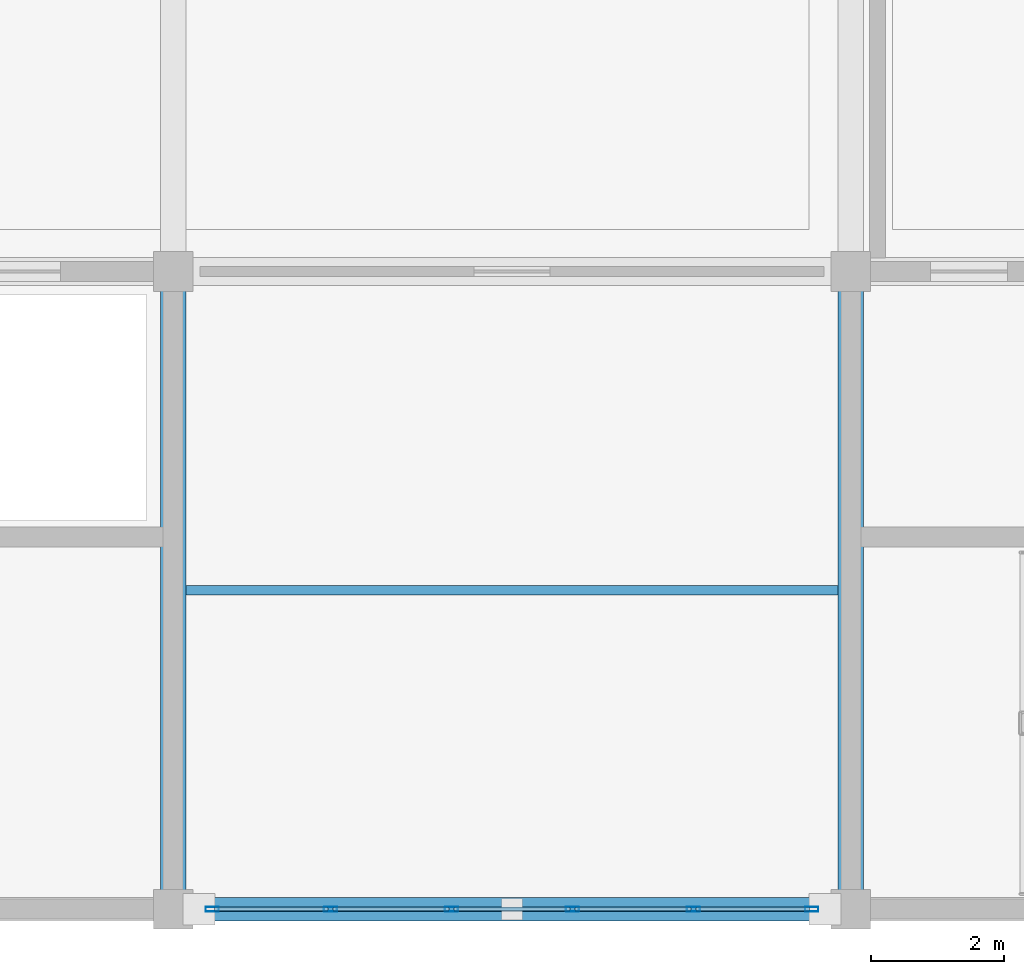
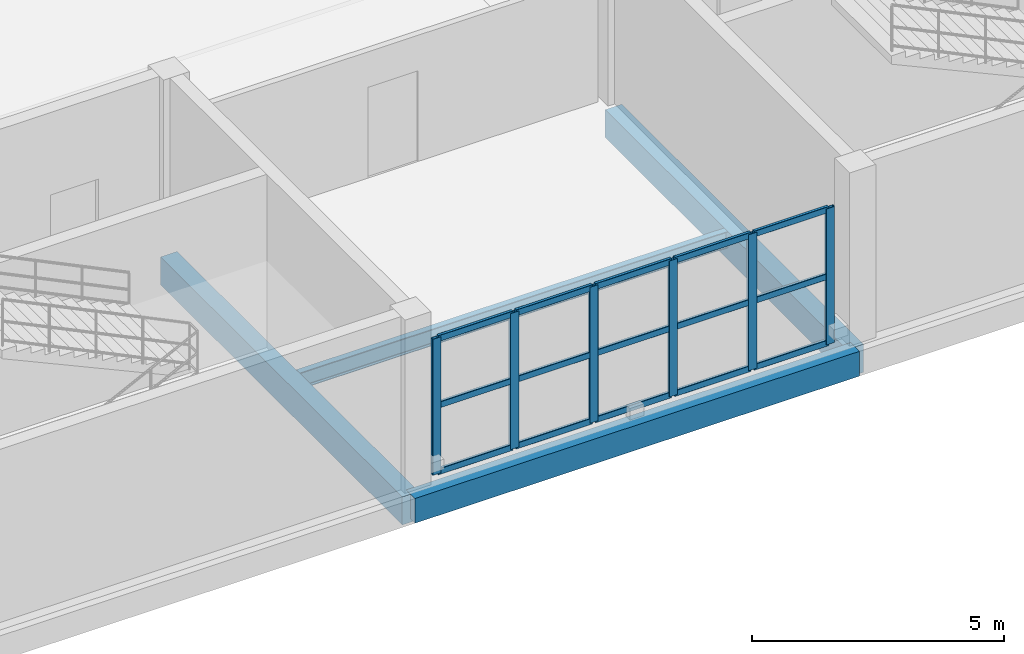
# One storey, part 4 of 24: 21 members, 4 beams, 1 element without a shape of its own.
"""IFC4 building model written with IfcOpenShell, lengths in metres."""

from ifc_helpers import new_model, si_unit, direction, frame, origin, origin_2d, place, context, subcontext, project, spatial, rectangle, hollow_rectangle, i_section, extrude, material, material_profile, profile_set, type_object, element, aggregate, save


model = new_model("IFC4")

# Units and contexts
model_context = context("Model", 3, precision=1e-05, world=origin(), true_north=direction((0.0, 1.0)))
body_context = subcontext(model_context, "Body", "Model", "MODEL_VIEW")
ifc_project = project(units=[si_unit("LENGTHUNIT", "METRE"), si_unit("AREAUNIT", "SQUARE_METRE"), si_unit("VOLUMEUNIT", "CUBIC_METRE"), si_unit("PLANEANGLEUNIT", "RADIAN"), si_unit("MASSUNIT", "GRAM", prefix="KILO")], contexts=[model_context])

# Site, building, storey
site_placement = place(None, origin())
site = spatial("IfcSite", under=ifc_project, at=site_placement, CompositionType="ELEMENT")
building_placement = place(site_placement, origin())
building = spatial("IfcBuilding", under=site, at=building_placement, Name="Brelvane Convention Centre", CompositionType="ELEMENT")
storey_placement = place(building_placement, frame((0.0, 0.0, 19.199951171875)))
storey = spatial("IfcBuildingStorey", under=building, at=storey_placement, Name="L04", CompositionType="ELEMENT", Elevation=19.199951171875)

# Curtain wall, members
ifc_material_1 = material(Name="Anodised Aluminium Alloy 6063-T6", Category="aluminium")
curtain_wall_type = type_object("IfcCurtainWallType", Name="Curtain Wall CW-COURT", PredefinedType="USERDEFINED", material=ifc_material_1)
curtain_wall_placement = place(storey_placement, origin())
curtain_wall = element("IfcCurtainWall", 1, at=curtain_wall_placement, inside=storey, type_object=curtain_wall_type, Name="Curtain Wall CW-COURT L04-V4S-03", ObjectType="UNITISED", PredefinedType="USERDEFINED")
ifc_material_2 = material(Name="Anodised Aluminium Alloy 6063-T6", Category="aluminium")
ifc_material_profile_1 = material_profile(ifc_material_2, hollow_rectangle(XDim=0.074951171875, YDim=0.199951171875, WallThickness=0.0048828125, InnerFilletRadius=0.0048828125, OuterFilletRadius=0.010009765625, at=origin_2d()), Name="ALU-M 200x75x5.0")
ifc_profile_set_1 = profile_set([ifc_material_profile_1], Name="Anodised Aluminium Alloy 6063-T6")
member_type_1 = type_object("IfcMemberType", Name="Curtain Mullion CW-M2", PredefinedType="MULLION", material=ifc_profile_set_1)
member_1_placement = place(storey_placement, frame((20.987548828125, 109.199951171875, 0.0), z_axis=(0.0, 0.0, 1.0), x_axis=(0.0, 1.0, 0.0)))
member_1 = element("IfcMember", 2, at=member_1_placement, type_object=member_type_1, Name="CW-COURT mullion 1", PredefinedType="MULLION", context=body_context, shape_type="SweptSolid", body=[
    extrude(hollow_rectangle(XDim=0.074951171875, YDim=0.199951171875, WallThickness=0.0048828125, InnerFilletRadius=0.0048828125, OuterFilletRadius=0.010009765625, at=origin_2d()), origin(), (0.0, 0.0, 1.0), 3.300048828125),
])
member_2_placement = place(storey_placement, frame((22.77001953125, 109.199951171875, 0.0), z_axis=(0.0, 0.0, 1.0), x_axis=(0.0, 1.0, 0.0)))
member_2 = element("IfcMember", 3, at=member_2_placement, type_object=member_type_1, Name="CW-COURT mullion 2", PredefinedType="MULLION", context=body_context, shape_type="SweptSolid", body=[
    extrude(hollow_rectangle(XDim=0.074951171875, YDim=0.199951171875, WallThickness=0.0048828125, InnerFilletRadius=0.0048828125, OuterFilletRadius=0.010009765625, at=origin_2d()), origin(), (0.0, 0.0, 1.0), 3.300048828125),
])
member_3_placement = place(storey_placement, frame((24.590087890625, 109.199951171875, 0.0), z_axis=(0.0, 0.0, 1.0), x_axis=(0.0, 1.0, 0.0)))
member_3 = element("IfcMember", 4, at=member_3_placement, type_object=member_type_1, Name="CW-COURT mullion 3", PredefinedType="MULLION", context=body_context, shape_type="SweptSolid", body=[
    extrude(hollow_rectangle(XDim=0.074951171875, YDim=0.199951171875, WallThickness=0.0048828125, InnerFilletRadius=0.0048828125, OuterFilletRadius=0.010009765625, at=origin_2d()), origin(), (0.0, 0.0, 1.0), 3.300048828125),
])
member_4_placement = place(storey_placement, frame((26.409912109375, 109.199951171875, 0.0), z_axis=(0.0, 0.0, 1.0), x_axis=(0.0, 1.0, 0.0)))
member_4 = element("IfcMember", 5, at=member_4_placement, type_object=member_type_1, Name="CW-COURT mullion 4", PredefinedType="MULLION", context=body_context, shape_type="SweptSolid", body=[
    extrude(hollow_rectangle(XDim=0.074951171875, YDim=0.199951171875, WallThickness=0.0048828125, InnerFilletRadius=0.0048828125, OuterFilletRadius=0.010009765625, at=origin_2d()), origin(), (0.0, 0.0, 1.0), 3.300048828125),
])
member_5_placement = place(storey_placement, frame((28.22998046875, 109.199951171875, 0.0), z_axis=(0.0, 0.0, 1.0), x_axis=(0.0, 1.0, 0.0)))
member_5 = element("IfcMember", 6, at=member_5_placement, type_object=member_type_1, Name="CW-COURT mullion 5", PredefinedType="MULLION", context=body_context, shape_type="SweptSolid", body=[
    extrude(hollow_rectangle(XDim=0.074951171875, YDim=0.199951171875, WallThickness=0.0048828125, InnerFilletRadius=0.0048828125, OuterFilletRadius=0.010009765625, at=origin_2d()), origin(), (0.0, 0.0, 1.0), 3.300048828125),
])
member_6_placement = place(storey_placement, frame((30.012451171875, 109.199951171875, 0.0), z_axis=(0.0, 0.0, 1.0), x_axis=(0.0, 1.0, 0.0)))
member_6 = element("IfcMember", 7, at=member_6_placement, type_object=member_type_1, Name="CW-COURT mullion 6", PredefinedType="MULLION", context=body_context, shape_type="SweptSolid", body=[
    extrude(hollow_rectangle(XDim=0.074951171875, YDim=0.199951171875, WallThickness=0.0048828125, InnerFilletRadius=0.0048828125, OuterFilletRadius=0.010009765625, at=origin_2d()), origin(), (0.0, 0.0, 1.0), 3.300048828125),
])
ifc_material_3 = material(Name="Anodised Aluminium Alloy 6063-T6", Category="aluminium")
ifc_material_profile_2 = material_profile(ifc_material_3, hollow_rectangle(XDim=0.070068359375, YDim=0.14990234375, WallThickness=0.00439453125, InnerFilletRadius=0.00439453125, OuterFilletRadius=0.009033203125, at=origin_2d()), Name="ALU-T 150x70x4.5")
ifc_profile_set_2 = profile_set([ifc_material_profile_2], Name="Anodised Aluminium Alloy 6063-T6")
member_type_2 = type_object("IfcMemberType", Name="Curtain Transom CW-T2", PredefinedType="USERDEFINED", material=ifc_profile_set_2)
member_7_placement = place(storey_placement, frame((21.02490234375, 109.199951171875, 0.03515625), z_axis=(1.0, 0.0, 0.0), x_axis=(0.0, 1.0, 0.0)))
member_7 = element("IfcMember", 8, at=member_7_placement, type_object=member_type_2, Name="CW-COURT transom 1.1", ObjectType="TRANSOM", PredefinedType="USERDEFINED", context=body_context, shape_type="SweptSolid", body=[
    extrude(hollow_rectangle(XDim=0.070068359375, YDim=0.14990234375, WallThickness=0.00439453125, InnerFilletRadius=0.00439453125, OuterFilletRadius=0.009033203125, at=origin_2d()), origin(), (0.0, 0.0, 1.0), 1.70751953125),
])
member_8_placement = place(storey_placement, frame((21.02490234375, 109.199951171875, 1.650146484375), z_axis=(1.0, 0.0, 0.0), x_axis=(0.0, 1.0, 0.0)))
member_8 = element("IfcMember", 9, at=member_8_placement, type_object=member_type_2, Name="CW-COURT transom 1.2", ObjectType="TRANSOM", PredefinedType="USERDEFINED", context=body_context, shape_type="SweptSolid", body=[
    extrude(hollow_rectangle(XDim=0.070068359375, YDim=0.14990234375, WallThickness=0.00439453125, InnerFilletRadius=0.00439453125, OuterFilletRadius=0.009033203125, at=origin_2d()), origin(), (0.0, 0.0, 1.0), 1.70751953125),
])
member_9_placement = place(storey_placement, frame((21.02490234375, 109.199951171875, 3.26513671875), z_axis=(1.0, 0.0, 0.0), x_axis=(0.0, 1.0, 0.0)))
member_9 = element("IfcMember", 10, at=member_9_placement, type_object=member_type_2, Name="CW-COURT transom 1.3", ObjectType="TRANSOM", PredefinedType="USERDEFINED", context=body_context, shape_type="SweptSolid", body=[
    extrude(hollow_rectangle(XDim=0.070068359375, YDim=0.14990234375, WallThickness=0.00439453125, InnerFilletRadius=0.00439453125, OuterFilletRadius=0.009033203125, at=origin_2d()), origin(), (0.0, 0.0, 1.0), 1.70751953125),
])
member_10_placement = place(storey_placement, frame((22.8076171875, 109.199951171875, 0.03515625), z_axis=(1.0, 0.0, 0.0), x_axis=(0.0, 1.0, 0.0)))
member_10 = element("IfcMember", 11, at=member_10_placement, type_object=member_type_2, Name="CW-COURT transom 2.1", ObjectType="TRANSOM", PredefinedType="USERDEFINED", context=body_context, shape_type="SweptSolid", body=[
    extrude(hollow_rectangle(XDim=0.070068359375, YDim=0.14990234375, WallThickness=0.00439453125, InnerFilletRadius=0.00439453125, OuterFilletRadius=0.009033203125, at=origin_2d()), origin(), (0.0, 0.0, 1.0), 1.744873046875),
])
member_11_placement = place(storey_placement, frame((22.8076171875, 109.199951171875, 1.650146484375), z_axis=(1.0, 0.0, 0.0), x_axis=(0.0, 1.0, 0.0)))
member_11 = element("IfcMember", 12, at=member_11_placement, type_object=member_type_2, Name="CW-COURT transom 2.2", ObjectType="TRANSOM", PredefinedType="USERDEFINED", context=body_context, shape_type="SweptSolid", body=[
    extrude(hollow_rectangle(XDim=0.070068359375, YDim=0.14990234375, WallThickness=0.00439453125, InnerFilletRadius=0.00439453125, OuterFilletRadius=0.009033203125, at=origin_2d()), origin(), (0.0, 0.0, 1.0), 1.744873046875),
])
member_12_placement = place(storey_placement, frame((22.8076171875, 109.199951171875, 3.26513671875), z_axis=(1.0, 0.0, 0.0), x_axis=(0.0, 1.0, 0.0)))
member_12 = element("IfcMember", 13, at=member_12_placement, type_object=member_type_2, Name="CW-COURT transom 2.3", ObjectType="TRANSOM", PredefinedType="USERDEFINED", context=body_context, shape_type="SweptSolid", body=[
    extrude(hollow_rectangle(XDim=0.070068359375, YDim=0.14990234375, WallThickness=0.00439453125, InnerFilletRadius=0.00439453125, OuterFilletRadius=0.009033203125, at=origin_2d()), origin(), (0.0, 0.0, 1.0), 1.744873046875),
])
member_13_placement = place(storey_placement, frame((24.62744140625, 109.199951171875, 0.03515625), z_axis=(1.0, 0.0, 0.0), x_axis=(0.0, 1.0, 0.0)))
member_13 = element("IfcMember", 14, at=member_13_placement, type_object=member_type_2, Name="CW-COURT transom 3.1", ObjectType="TRANSOM", PredefinedType="USERDEFINED", context=body_context, shape_type="SweptSolid", body=[
    extrude(hollow_rectangle(XDim=0.070068359375, YDim=0.14990234375, WallThickness=0.00439453125, InnerFilletRadius=0.00439453125, OuterFilletRadius=0.009033203125, at=origin_2d()), origin(), (0.0, 0.0, 1.0), 1.7451171875),
])
member_14_placement = place(storey_placement, frame((24.62744140625, 109.199951171875, 1.650146484375), z_axis=(1.0, 0.0, 0.0), x_axis=(0.0, 1.0, 0.0)))
member_14 = element("IfcMember", 15, at=member_14_placement, type_object=member_type_2, Name="CW-COURT transom 3.2", ObjectType="TRANSOM", PredefinedType="USERDEFINED", context=body_context, shape_type="SweptSolid", body=[
    extrude(hollow_rectangle(XDim=0.070068359375, YDim=0.14990234375, WallThickness=0.00439453125, InnerFilletRadius=0.00439453125, OuterFilletRadius=0.009033203125, at=origin_2d()), origin(), (0.0, 0.0, 1.0), 1.7451171875),
])
member_15_placement = place(storey_placement, frame((24.62744140625, 109.199951171875, 3.26513671875), z_axis=(1.0, 0.0, 0.0), x_axis=(0.0, 1.0, 0.0)))
member_15 = element("IfcMember", 16, at=member_15_placement, type_object=member_type_2, Name="CW-COURT transom 3.3", ObjectType="TRANSOM", PredefinedType="USERDEFINED", context=body_context, shape_type="SweptSolid", body=[
    extrude(hollow_rectangle(XDim=0.070068359375, YDim=0.14990234375, WallThickness=0.00439453125, InnerFilletRadius=0.00439453125, OuterFilletRadius=0.009033203125, at=origin_2d()), origin(), (0.0, 0.0, 1.0), 1.7451171875),
])
member_16_placement = place(storey_placement, frame((26.447509765625, 109.199951171875, 0.03515625), z_axis=(1.0, 0.0, 0.0), x_axis=(0.0, 1.0, 0.0)))
member_16 = element("IfcMember", 17, at=member_16_placement, type_object=member_type_2, Name="CW-COURT transom 4.1", ObjectType="TRANSOM", PredefinedType="USERDEFINED", context=body_context, shape_type="SweptSolid", body=[
    extrude(hollow_rectangle(XDim=0.070068359375, YDim=0.14990234375, WallThickness=0.00439453125, InnerFilletRadius=0.00439453125, OuterFilletRadius=0.009033203125, at=origin_2d()), origin(), (0.0, 0.0, 1.0), 1.744873046875),
])
member_17_placement = place(storey_placement, frame((26.447509765625, 109.199951171875, 1.650146484375), z_axis=(1.0, 0.0, 0.0), x_axis=(0.0, 1.0, 0.0)))
member_17 = element("IfcMember", 18, at=member_17_placement, type_object=member_type_2, Name="CW-COURT transom 4.2", ObjectType="TRANSOM", PredefinedType="USERDEFINED", context=body_context, shape_type="SweptSolid", body=[
    extrude(hollow_rectangle(XDim=0.070068359375, YDim=0.14990234375, WallThickness=0.00439453125, InnerFilletRadius=0.00439453125, OuterFilletRadius=0.009033203125, at=origin_2d()), origin(), (0.0, 0.0, 1.0), 1.744873046875),
])
member_18_placement = place(storey_placement, frame((26.447509765625, 109.199951171875, 3.26513671875), z_axis=(1.0, 0.0, 0.0), x_axis=(0.0, 1.0, 0.0)))
member_18 = element("IfcMember", 19, at=member_18_placement, type_object=member_type_2, Name="CW-COURT transom 4.3", ObjectType="TRANSOM", PredefinedType="USERDEFINED", context=body_context, shape_type="SweptSolid", body=[
    extrude(hollow_rectangle(XDim=0.070068359375, YDim=0.14990234375, WallThickness=0.00439453125, InnerFilletRadius=0.00439453125, OuterFilletRadius=0.009033203125, at=origin_2d()), origin(), (0.0, 0.0, 1.0), 1.744873046875),
])
member_19_placement = place(storey_placement, frame((28.267578125, 109.199951171875, 0.03515625), z_axis=(1.0, 0.0, 0.0), x_axis=(0.0, 1.0, 0.0)))
member_19 = element("IfcMember", 20, at=member_19_placement, type_object=member_type_2, Name="CW-COURT transom 5.1", ObjectType="TRANSOM", PredefinedType="USERDEFINED", context=body_context, shape_type="SweptSolid", body=[
    extrude(hollow_rectangle(XDim=0.070068359375, YDim=0.14990234375, WallThickness=0.00439453125, InnerFilletRadius=0.00439453125, OuterFilletRadius=0.009033203125, at=origin_2d()), origin(), (0.0, 0.0, 1.0), 1.70751953125),
])
member_20_placement = place(storey_placement, frame((28.267578125, 109.199951171875, 1.650146484375), z_axis=(1.0, 0.0, 0.0), x_axis=(0.0, 1.0, 0.0)))
member_20 = element("IfcMember", 21, at=member_20_placement, type_object=member_type_2, Name="CW-COURT transom 5.2", ObjectType="TRANSOM", PredefinedType="USERDEFINED", context=body_context, shape_type="SweptSolid", body=[
    extrude(hollow_rectangle(XDim=0.070068359375, YDim=0.14990234375, WallThickness=0.00439453125, InnerFilletRadius=0.00439453125, OuterFilletRadius=0.009033203125, at=origin_2d()), origin(), (0.0, 0.0, 1.0), 1.70751953125),
])
member_21_placement = place(storey_placement, frame((28.267578125, 109.199951171875, 3.26513671875), z_axis=(1.0, 0.0, 0.0), x_axis=(0.0, 1.0, 0.0)))
member_21 = element("IfcMember", 22, at=member_21_placement, type_object=member_type_2, Name="CW-COURT transom 5.3", ObjectType="TRANSOM", PredefinedType="USERDEFINED", context=body_context, shape_type="SweptSolid", body=[
    extrude(hollow_rectangle(XDim=0.070068359375, YDim=0.14990234375, WallThickness=0.00439453125, InnerFilletRadius=0.00439453125, OuterFilletRadius=0.009033203125, at=origin_2d()), origin(), (0.0, 0.0, 1.0), 1.70751953125),
])
aggregate(curtain_wall, [member_1, member_2, member_3, member_4, member_5, member_6, member_7, member_8, member_9, member_10, member_11, member_12, member_13, member_14, member_15, member_16, member_17, member_18, member_19, member_20, member_21])

# Beams
ifc_material_4 = material(Name="Concrete M40", Category="concrete")
ifc_material_profile_3 = material_profile(ifc_material_4, rectangle(XDim=0.3798828125, YDim=0.679931640625, at=origin_2d()), Name="RC 380x680")
ifc_profile_set_3 = profile_set([ifc_material_profile_3], Name="Concrete M40")
beam_type_1 = type_object("IfcBeamType", Name="RC Beam B-RC14 (RC 380x680)", PredefinedType="BEAM", material=ifc_profile_set_3)
for number, where, z_axis, x_axis, name in (
    (23, (20.39990234375, 109.199951171875, -0.64501953125), (0.0, 1.0, 0.0), (-1.0, 0.0, 0.0), "L04 Girder 3/L-M"),
    (24, (30.60009765625, 109.199951171875, -0.64501953125), (0.0, 1.0, 0.0), (-1.0, 0.0, 0.0), "L04 Girder 4/L-M"),
):
    element("IfcBeam", number, at=place(storey_placement, frame(where, z_axis=z_axis, x_axis=x_axis)), inside=storey, type_object=beam_type_1, Name=name, PredefinedType="BEAM", context=body_context, shape_type="SweptSolid", body=[
        extrude(rectangle(XDim=0.3798828125, YDim=0.679931640625, at=origin_2d()), origin(), (0.0, 0.0, 1.0), 9.60009765625),
    ])
ifc_material_5 = material(Name="Concrete M40", Category="concrete")
ifc_material_profile_4 = material_profile(ifc_material_5, rectangle(XDim=0.35009765625, YDim=0.60009765625, at=origin_2d()), Name="RC 350x600")
ifc_profile_set_4 = profile_set([ifc_material_profile_4], Name="Concrete M40")
beam_type_2 = type_object("IfcBeamType", Name="RC Spandrel SP-RC2 (RC 350x600)", PredefinedType="SPANDREL", material=ifc_profile_set_4)
beam_1_placement = place(storey_placement, frame((20.39990234375, 109.199951171875, -0.60498046875), z_axis=(1.0, 0.0, 0.0), x_axis=(0.0, 1.0, 0.0)))
element("IfcBeam", 25, at=beam_1_placement, inside=storey, type_object=beam_type_2, Name="L04 Beam 3-4/L", PredefinedType="SPANDREL", context=body_context, shape_type="SweptSolid", body=[
    extrude(rectangle(XDim=0.35009765625, YDim=0.60009765625, at=origin_2d()), origin(), (0.0, 0.0, 1.0), 10.2001953125),
])
ifc_material_6 = material(Name="Steel E350 (350 MPa)", Category="steel")
ifc_material_profile_5 = material_profile(ifc_material_6, i_section(OverallWidth=0.139892578125, OverallDepth=0.39990234375, WebThickness=0.0087890625, FlangeThickness=0.01611328125, FilletRadius=0.013916015625, at=origin_2d()), Name="ISMB 400")
ifc_profile_set_5 = profile_set([ifc_material_profile_5], Name="Steel E350 (350 MPa)")
beam_type_3 = type_object("IfcBeamType", Name="Steel Joist J-ST1 (ISMB 400)", PredefinedType="JOIST", material=ifc_profile_set_5)
beam_2_placement = place(storey_placement, frame((20.590087890625, 114.0, -0.5048828125), z_axis=(1.0, 0.0, 0.0), x_axis=(0.0, 1.0, 0.0)))
element("IfcBeam", 26, at=beam_2_placement, inside=storey, type_object=beam_type_3, Name="L04 Secondary Joist 3-4/LM", PredefinedType="JOIST", context=body_context, shape_type="SweptSolid", body=[
    extrude(i_section(OverallWidth=0.139892578125, OverallDepth=0.39990234375, WebThickness=0.0087890625, FlangeThickness=0.01611328125, FilletRadius=0.013916015625, at=origin_2d()), origin(), (0.0, 0.0, 1.0), 9.81982421875),
])

save(model, "model.ifc")
